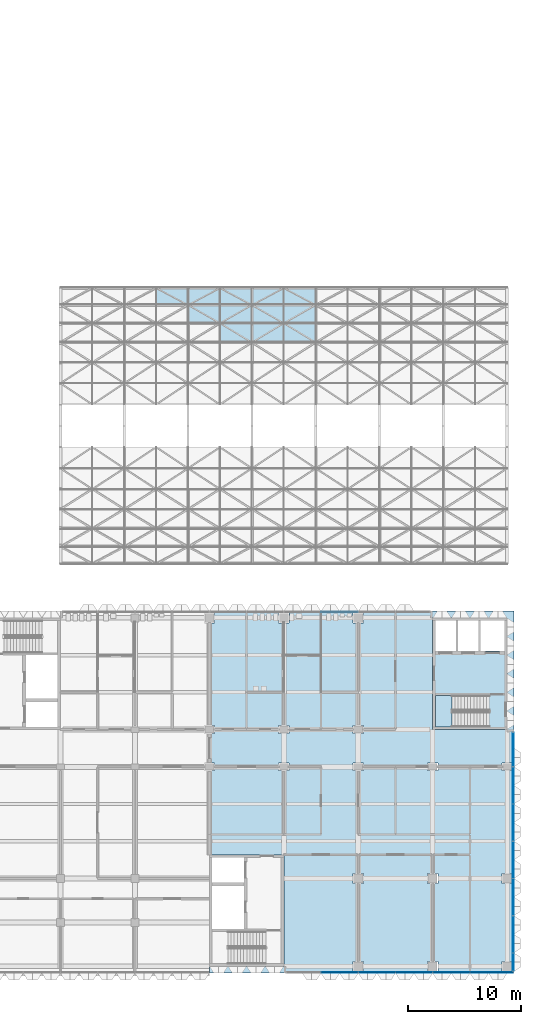
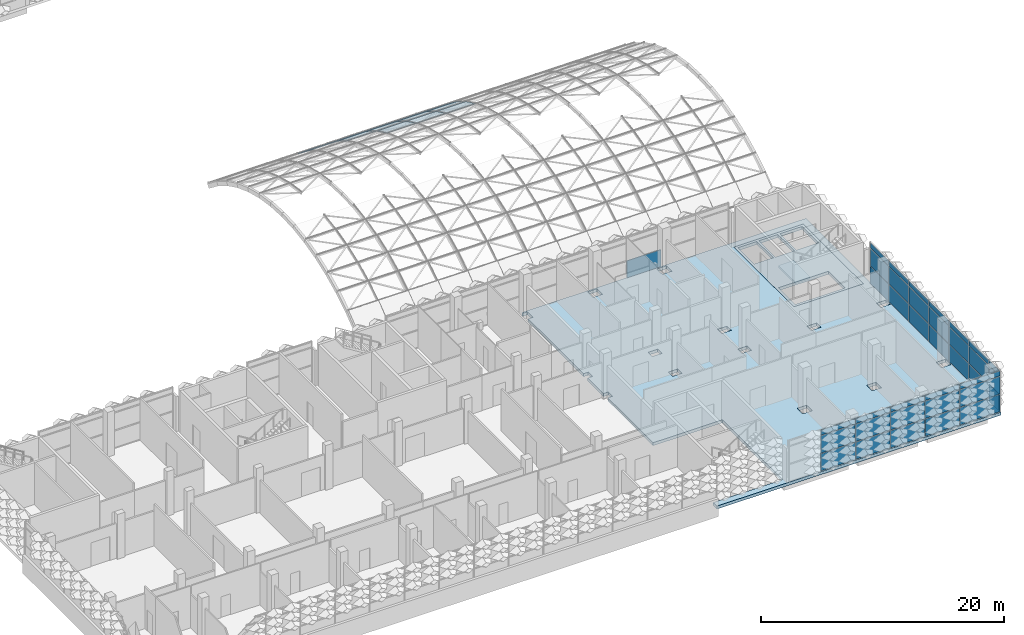
# One storey, part 22 of 85: 49 plates, 3 slabs, 4 elements without a shape of their own.
"""IFC4 building model written with IfcOpenShell, lengths in metres."""

from ifc_helpers import new_model, si_unit, direction, frame, origin, origin_2d, place, context, subcontext, project, spatial, polyline, rectangle, outline, extrude, material, layer, layer_set, type_object, element, aggregate, save


model = new_model("IFC4")

# Units and contexts
model_context = context("Model", 3, precision=1e-05, world=origin(), true_north=direction((0.0, 1.0)))
body_context = subcontext(model_context, "Body", "Model", "MODEL_VIEW")
ifc_project = project(units=[si_unit("LENGTHUNIT", "METRE"), si_unit("AREAUNIT", "SQUARE_METRE"), si_unit("VOLUMEUNIT", "CUBIC_METRE"), si_unit("PLANEANGLEUNIT", "RADIAN"), si_unit("MASSUNIT", "GRAM", prefix="KILO")], contexts=[model_context])

# Site, building, storey
site_placement = place(None, origin())
site = spatial("IfcSite", under=ifc_project, at=site_placement, CompositionType="ELEMENT")
building_placement = place(site_placement, origin())
building = spatial("IfcBuilding", under=site, at=building_placement, Name="Lantern Court Research Institute", CompositionType="ELEMENT")
storey_placement = place(building_placement, frame((0.0, 0.0, 18.89990234375)))
storey = spatial("IfcBuildingStorey", under=building, at=storey_placement, Name="L04", CompositionType="ELEMENT", Elevation=18.89990234375)

# Plates
ifc_material_1 = material(Name="Laminated low-emissivity glass", Category="glass")
ifc_layer_1 = layer(ifc_material_1, 0.0439453125)
ifc_layer_set_1 = layer_set([ifc_layer_1], Name="Laminated low-emissivity glass")
plate_type_1 = type_object("IfcPlateType", Name="Gridshell roof glazing panel 44", PredefinedType="SHEET", material=ifc_layer_set_1)
plate_1_placement = place(storey_placement, frame((50.904296875, 50.89892578125, 1.381103515625), z_axis=(0.0, 0.60878642587, 0.793334158899), x_axis=(-1.0, 0.0, 0.0)))
element("IfcPlate", 1, at=plate_1_placement, inside=storey, type_object=plate_type_1, Name="Roof glazing panel", PredefinedType="SHEET", context=body_context, shape_type="SweptSolid", body=[
    extrude(outline(polyline([(0.0, 0.0), (2.80859375, 0.0), (2.80859375, -1.8772137765583714), (0.0, -1.8772137765583714), (0.0, 0.0)])), origin(), (0.0, 0.0, -1.0), 0.0439453125),
])
plate_2_placement = place(storey_placement, frame((53.73291015625, 49.27734375, 2.3857421875), z_axis=(0.0, 0.525951989181, 0.850514259185), x_axis=(-1.0, 0.0, 0.0)))
element("IfcPlate", 2, at=plate_2_placement, inside=storey, type_object=plate_type_1, Name="Roof glazing panel", PredefinedType="SHEET", context=body_context, shape_type="SweptSolid", body=[
    extrude(outline(polyline([(0.0, 0.0), (2.80859375, 0.0), (2.80859375, -1.8790332013740056), (0.0, -1.8790332013740056), (0.0, 0.0)])), origin(), (0.0, 0.0, -1.0), 0.0439453125),
])
plate_3_placement = place(storey_placement, frame((53.73291015625, 50.89892578125, 1.381103515625), z_axis=(0.0, 0.60878642587, 0.793334158899), x_axis=(-1.0, 0.0, 0.0)))
element("IfcPlate", 3, at=plate_3_placement, inside=storey, type_object=plate_type_1, Name="Roof glazing panel", PredefinedType="SHEET", context=body_context, shape_type="SweptSolid", body=[
    extrude(outline(polyline([(0.0, 0.0), (2.80859375, 0.0), (2.80859375, -1.8772137765583714), (0.0, -1.8772137765583714), (0.0, 0.0)])), origin(), (0.0, 0.0, -1.0), 0.0439453125),
])
plate_4_placement = place(storey_placement, frame((56.5615234375, 47.56298828125, 3.22216796875), z_axis=(0.0, 0.437840262828, 0.89905278168), x_axis=(-1.0, 0.0, 0.0)))
element("IfcPlate", 4, at=plate_4_placement, inside=storey, type_object=plate_type_1, Name="Roof glazing panel", PredefinedType="SHEET", context=body_context, shape_type="SweptSolid", body=[
    extrude(outline(polyline([(0.0, 0.0), (2.80859375, 0.0), (2.80859375, -1.8802340885275783), (0.0, -1.8802340885275783), (0.0, 0.0)])), origin(), (0.0, 0.0, -1.0), 0.0439453125),
])
plate_5_placement = place(storey_placement, frame((56.5615234375, 49.27734375, 2.3857421875), z_axis=(0.0, 0.525951989181, 0.850514259185), x_axis=(-1.0, 0.0, 0.0)))
element("IfcPlate", 5, at=plate_5_placement, inside=storey, type_object=plate_type_1, Name="Roof glazing panel", PredefinedType="SHEET", context=body_context, shape_type="SweptSolid", body=[
    extrude(outline(polyline([(0.0, 0.0), (2.80859375, 0.0), (2.80859375, -1.8790332013740056), (0.0, -1.8790332013740056), (0.0, 0.0)])), origin(), (0.0, 0.0, -1.0), 0.0439453125),
])
plate_6_placement = place(storey_placement, frame((56.5615234375, 50.89892578125, 1.381103515625), z_axis=(0.0, 0.60878642587, 0.793334158899), x_axis=(-1.0, 0.0, 0.0)))
element("IfcPlate", 6, at=plate_6_placement, inside=storey, type_object=plate_type_1, Name="Roof glazing panel", PredefinedType="SHEET", context=body_context, shape_type="SweptSolid", body=[
    extrude(outline(polyline([(0.0, 0.0), (2.80859375, 0.0), (2.80859375, -1.8772137765583714), (0.0, -1.8772137765583714), (0.0, 0.0)])), origin(), (0.0, 0.0, -1.0), 0.0439453125),
])
plate_7_placement = place(storey_placement, frame((59.389892578125, 47.56298828125, 3.22216796875), z_axis=(0.0, 0.437840262828, 0.89905278168), x_axis=(-1.0, 0.0, 0.0)))
element("IfcPlate", 7, at=plate_7_placement, inside=storey, type_object=plate_type_1, Name="Roof glazing panel", PredefinedType="SHEET", context=body_context, shape_type="SweptSolid", body=[
    extrude(outline(polyline([(0.0, 0.0), (2.808349609375, 0.0), (2.808349609375, -1.8802340885275781), (0.0, -1.8802340885275781), (0.0, 0.0)])), origin(), (0.0, 0.0, -1.0), 0.0439453125),
])
plate_8_placement = place(storey_placement, frame((59.389892578125, 49.27734375, 2.3857421875), z_axis=(0.0, 0.525951989181, 0.850514259185), x_axis=(-1.0, 0.0, 0.0)))
element("IfcPlate", 8, at=plate_8_placement, inside=storey, type_object=plate_type_1, Name="Roof glazing panel", PredefinedType="SHEET", context=body_context, shape_type="SweptSolid", body=[
    extrude(outline(polyline([(0.0, 0.0), (2.808349609375, 0.0), (2.808349609375, -1.8790332013740056), (0.0, -1.8790332013740056), (0.0, 0.0)])), origin(), (0.0, 0.0, -1.0), 0.0439453125),
])
plate_9_placement = place(storey_placement, frame((59.389892578125, 50.89892578125, 1.381103515625), z_axis=(0.0, 0.60878642587, 0.793334158899), x_axis=(-1.0, 0.0, 0.0)))
element("IfcPlate", 9, at=plate_9_placement, inside=storey, type_object=plate_type_1, Name="Roof glazing panel", PredefinedType="SHEET", context=body_context, shape_type="SweptSolid", body=[
    extrude(outline(polyline([(0.0, 0.0), (2.808349609375, 0.0), (2.808349609375, -1.8772137765583714), (0.0, -1.8772137765583714), (0.0, 0.0)])), origin(), (0.0, 0.0, -1.0), 0.0439453125),
])
plate_10_placement = place(storey_placement, frame((62.218505859375, 47.56298828125, 3.22216796875), z_axis=(0.0, 0.437840262828, 0.89905278168), x_axis=(-1.0, 0.0, 0.0)))
element("IfcPlate", 10, at=plate_10_placement, inside=storey, type_object=plate_type_1, Name="Roof glazing panel", PredefinedType="SHEET", context=body_context, shape_type="SweptSolid", body=[
    extrude(outline(polyline([(0.0, 0.0), (2.80859375, 0.0), (2.80859375, -1.8802340885275783), (0.0, -1.8802340885275783), (0.0, 0.0)])), origin(), (0.0, 0.0, -1.0), 0.0439453125),
])
plate_11_placement = place(storey_placement, frame((62.218505859375, 49.27734375, 2.3857421875), z_axis=(0.0, 0.525951989181, 0.850514259185), x_axis=(-1.0, 0.0, 0.0)))
element("IfcPlate", 11, at=plate_11_placement, inside=storey, type_object=plate_type_1, Name="Roof glazing panel", PredefinedType="SHEET", context=body_context, shape_type="SweptSolid", body=[
    extrude(outline(polyline([(0.0, 0.0), (2.80859375, 0.0), (2.80859375, -1.8790332013740056), (0.0, -1.8790332013740056), (0.0, 0.0)])), origin(), (0.0, 0.0, -1.0), 0.0439453125),
])
plate_12_placement = place(storey_placement, frame((62.218505859375, 50.89892578125, 1.381103515625), z_axis=(0.0, 0.60878642587, 0.793334158899), x_axis=(-1.0, 0.0, 0.0)))
element("IfcPlate", 12, at=plate_12_placement, inside=storey, type_object=plate_type_1, Name="Roof glazing panel", PredefinedType="SHEET", context=body_context, shape_type="SweptSolid", body=[
    extrude(outline(polyline([(0.0, 0.0), (2.80859375, 0.0), (2.80859375, -1.8772137765583714), (0.0, -1.8772137765583714), (0.0, 0.0)])), origin(), (0.0, 0.0, -1.0), 0.0439453125),
])

# Curtain wall, plates
ifc_material_2 = material(Name="Aluminium alloy 6063-T6", Category="aluminium")
curtain_wall_type_1 = type_object("IfcCurtainWallType", Name="Curtain wall 20200 x 4200 x 150 aluminium frame", PredefinedType="NOTDEFINED", material=ifc_material_2)
curtain_wall_1_placement = place(storey_placement, origin())
curtain_wall_1 = element("IfcCurtainWall", 13, at=curtain_wall_1_placement, inside=storey, type_object=curtain_wall_type_1, Name="Curtain wall CW067", PredefinedType="NOTDEFINED")
ifc_material_3 = material(Name="Insulated aluminium spandrel panel", Category="aluminium")
ifc_layer_2 = layer(ifc_material_3, 0.10009765625)
ifc_layer_set_2 = layer_set([ifc_layer_2], Name="Insulated aluminium spandrel panel")
plate_type_2 = type_object("IfcPlateType", Name="Insulated spandrel panel 100 mm for south sun", PredefinedType="CURTAIN_PANEL", material=ifc_layer_set_2)
plate_13_placement = place(storey_placement, frame((64.35009765625, -8.324951171875, 0.06005859375), z_axis=(0.0, 0.0, 1.0), x_axis=(-1.0, 0.0, 0.0)))
plate_13 = element("IfcPlate", 14, at=plate_13_placement, type_object=plate_type_2, Name="CW067 spandrel panel 2.1", PredefinedType="CURTAIN_PANEL", context=body_context, shape_type="SweptSolid", body=[
    extrude(rectangle(XDim=3.239990234375, YDim=0.10009765625, at=origin_2d()), origin(), (0.0, 0.0, 1.0), 1.7099609375),
])
plate_14_placement = place(storey_placement, frame((67.64990234375, -8.324951171875, 0.06005859375), z_axis=(0.0, 0.0, 1.0), x_axis=(-1.0, 0.0, 0.0)))
plate_14 = element("IfcPlate", 15, at=plate_14_placement, type_object=plate_type_2, Name="CW067 spandrel panel 3.1", PredefinedType="CURTAIN_PANEL", context=body_context, shape_type="SweptSolid", body=[
    extrude(rectangle(XDim=3.239990234375, YDim=0.10009765625, at=origin_2d()), origin(), (0.0, 0.0, 1.0), 1.7099609375),
])
plate_15_placement = place(storey_placement, frame((70.949951171875, -8.324951171875, 0.06005859375), z_axis=(0.0, 0.0, 1.0), x_axis=(-1.0, 0.0, 0.0)))
plate_15 = element("IfcPlate", 16, at=plate_15_placement, type_object=plate_type_2, Name="CW067 spandrel panel 4.1", PredefinedType="CURTAIN_PANEL", context=body_context, shape_type="SweptSolid", body=[
    extrude(rectangle(XDim=3.239990234375, YDim=0.10009765625, at=origin_2d()), origin(), (0.0, 0.0, 1.0), 1.7099609375),
])
plate_16_placement = place(storey_placement, frame((74.25, -8.324951171875, 0.06005859375), z_axis=(0.0, 0.0, 1.0), x_axis=(-1.0, 0.0, 0.0)))
plate_16 = element("IfcPlate", 17, at=plate_16_placement, type_object=plate_type_2, Name="CW067 spandrel panel 5.1", PredefinedType="CURTAIN_PANEL", context=body_context, shape_type="SweptSolid", body=[
    extrude(rectangle(XDim=3.239990234375, YDim=0.10009765625, at=origin_2d()), origin(), (0.0, 0.0, 1.0), 1.7099609375),
])
plate_17_placement = place(storey_placement, frame((77.8349609375, -8.324951171875, 0.06005859375), z_axis=(0.0, 0.0, 1.0), x_axis=(-1.0, 0.0, 0.0)))
plate_17 = element("IfcPlate", 18, at=plate_17_placement, type_object=plate_type_2, Name="CW067 spandrel panel 6.1", PredefinedType="CURTAIN_PANEL", context=body_context, shape_type="SweptSolid", body=[
    extrude(rectangle(XDim=3.81005859375, YDim=0.10009765625, at=origin_2d()), origin(), (0.0, 0.0, 1.0), 1.7099609375),
])

# Curtain wall, plate
ifc_material_4 = material(Name="Aluminium alloy 6063-T6", Category="aluminium")
curtain_wall_type_2 = type_object("IfcCurtainWallType", Name="Curtain wall 19600 x 4200 x 150 aluminium frame", PredefinedType="NOTDEFINED", material=ifc_material_4)
curtain_wall_2_placement = place(storey_placement, origin())
curtain_wall_2 = element("IfcCurtainWall", 19, at=curtain_wall_2_placement, inside=storey, type_object=curtain_wall_type_2, Name="Curtain wall CW066", PredefinedType="NOTDEFINED")
ifc_material_5 = material(Name="Insulated aluminium spandrel panel", Category="aluminium")
ifc_layer_3 = layer(ifc_material_5, 0.06005859375)
ifc_layer_set_3 = layer_set([ifc_layer_3], Name="Insulated aluminium spandrel panel")
plate_type_3 = type_object("IfcPlateType", Name="Insulated spandrel panel 60 mm", PredefinedType="CURTAIN_PANEL", material=ifc_layer_set_3)
plate_18_placement = place(storey_placement, frame((64.35009765625, 23.625, 0.06005859375), z_axis=(0.0, 0.0, 1.0), x_axis=(1.0, 0.0, 0.0)))
plate_18 = element("IfcPlate", 20, at=plate_18_placement, type_object=plate_type_3, Name="CW066 spandrel panel 4.1", PredefinedType="CURTAIN_PANEL", context=body_context, shape_type="SweptSolid", body=[
    extrude(rectangle(XDim=3.239990234375, YDim=0.06005859375, at=origin_2d()), origin(), (0.0, 0.0, 1.0), 1.7099609375),
])
aggregate(curtain_wall_2, [plate_18])

# Curtain wall, plates
ifc_material_6 = material(Name="Aluminium alloy 6063-T6", Category="aluminium")
curtain_wall_type_3 = type_object("IfcCurtainWallType", Name="Curtain wall 21250 x 4200 x 150 aluminium frame", PredefinedType="NOTDEFINED", material=ifc_material_6)
curtain_wall_3_placement = place(storey_placement, origin())
curtain_wall_3 = element("IfcCurtainWall", 21, at=curtain_wall_3_placement, inside=storey, type_object=curtain_wall_type_3, Name="Curtain wall CW065", PredefinedType="NOTDEFINED")
ifc_material_7 = material(Name="Insulated aluminium spandrel panel", Category="aluminium")
ifc_layer_4 = layer(ifc_material_7, 0.080078125)
ifc_layer_set_4 = layer_set([ifc_layer_4], Name="Insulated aluminium spandrel panel")
plate_type_4 = type_object("IfcPlateType", Name="Insulated spandrel panel 80 mm", PredefinedType="CURTAIN_PANEL", material=ifc_layer_set_4)
plate_19_placement = place(storey_placement, frame((79.72509765625, -7.409912109375, 0.06005859375), z_axis=(0.0, 0.0, 1.0), x_axis=(0.0, -1.0, 0.0)))
plate_19 = element("IfcPlate", 22, at=plate_19_placement, type_object=plate_type_4, Name="CW065 spandrel panel 1.1", PredefinedType="CURTAIN_PANEL", context=body_context, shape_type="SweptSolid", body=[
    extrude(rectangle(XDim=1.56005859375, YDim=0.080078125, at=origin_2d()), origin(), (0.0, 0.0, 1.0), 1.7099609375),
])
plate_20_placement = place(storey_placement, frame((79.72509765625, -4.949951171875, 0.06005859375), z_axis=(0.0, 0.0, 1.0), x_axis=(0.0, -1.0, 0.0)))
plate_20 = element("IfcPlate", 23, at=plate_20_placement, type_object=plate_type_4, Name="CW065 spandrel panel 2.1", PredefinedType="CURTAIN_PANEL", context=body_context, shape_type="SweptSolid", body=[
    extrude(rectangle(XDim=3.239990234375, YDim=0.080078125, at=origin_2d()), origin(), (0.0, 0.0, 1.0), 1.7099609375),
])
plate_21_placement = place(storey_placement, frame((79.72509765625, -1.64990234375, 0.06005859375), z_axis=(0.0, 0.0, 1.0), x_axis=(0.0, -1.0, 0.0)))
plate_21 = element("IfcPlate", 24, at=plate_21_placement, type_object=plate_type_4, Name="CW065 spandrel panel 3.1", PredefinedType="CURTAIN_PANEL", context=body_context, shape_type="SweptSolid", body=[
    extrude(rectangle(XDim=3.239990234375, YDim=0.080078125, at=origin_2d()), origin(), (0.0, 0.0, 1.0), 1.7099609375),
])
plate_22_placement = place(storey_placement, frame((79.72509765625, 1.64990234375, 0.06005859375), z_axis=(0.0, 0.0, 1.0), x_axis=(0.0, -1.0, 0.0)))
plate_22 = element("IfcPlate", 25, at=plate_22_placement, type_object=plate_type_4, Name="CW065 spandrel panel 4.1", PredefinedType="CURTAIN_PANEL", context=body_context, shape_type="SweptSolid", body=[
    extrude(rectangle(XDim=3.239990234375, YDim=0.080078125, at=origin_2d()), origin(), (0.0, 0.0, 1.0), 1.7099609375),
])
plate_23_placement = place(storey_placement, frame((79.72509765625, 4.949951171875, 0.06005859375), z_axis=(0.0, 0.0, 1.0), x_axis=(0.0, -1.0, 0.0)))
plate_23 = element("IfcPlate", 26, at=plate_23_placement, type_object=plate_type_4, Name="CW065 spandrel panel 5.1", PredefinedType="CURTAIN_PANEL", context=body_context, shape_type="SweptSolid", body=[
    extrude(rectangle(XDim=3.239990234375, YDim=0.080078125, at=origin_2d()), origin(), (0.0, 0.0, 1.0), 1.7099609375),
])
plate_24_placement = place(storey_placement, frame((79.72509765625, 8.25, 0.06005859375), z_axis=(0.0, 0.0, 1.0), x_axis=(0.0, -1.0, 0.0)))
plate_24 = element("IfcPlate", 27, at=plate_24_placement, type_object=plate_type_4, Name="CW065 spandrel panel 6.1", PredefinedType="CURTAIN_PANEL", context=body_context, shape_type="SweptSolid", body=[
    extrude(rectangle(XDim=3.239990234375, YDim=0.080078125, at=origin_2d()), origin(), (0.0, 0.0, 1.0), 1.7099609375),
])
plate_25_placement = place(storey_placement, frame((79.72509765625, 11.43505859375, 0.06005859375), z_axis=(0.0, 0.0, 1.0), x_axis=(0.0, -1.0, 0.0)))
plate_25 = element("IfcPlate", 28, at=plate_25_placement, type_object=plate_type_4, Name="CW065 spandrel panel 7.1", PredefinedType="CURTAIN_PANEL", context=body_context, shape_type="SweptSolid", body=[
    extrude(rectangle(XDim=3.010009765625, YDim=0.080078125, at=origin_2d()), origin(), (0.0, 0.0, 1.0), 1.7099609375),
])

# Slabs
ifc_material_8 = material(Name="Concrete C35/45", Category="concrete")
ifc_layer_5 = layer(ifc_material_8, 0.300048828125)
ifc_layer_set_5 = layer_set([ifc_layer_5], Name="Concrete C35/45")
slab_type_1 = type_object("IfcSlabType", Name="RC core floor slab 300", PredefinedType="FLOOR", material=ifc_layer_set_5)
slab_1_placement = place(storey_placement, frame((0.0, 0.0, -0.2998046875)))
element("IfcSlab", 29, at=slab_1_placement, inside=storey, type_object=slab_type_1, Name="Floor of core TC-E", PredefinedType="FLOOR", context=body_context, shape_type="SweptSolid", body=[
    extrude(outline(polyline([(72.60009765625, 13.199951171875), (79.199951171875, 13.199951171875), (79.199951171875, 23.10009765625), (72.60009765625, 23.10009765625), (72.60009765625, 13.199951171875)]), holes=[polyline([(77.60009765625, 16.199951171875), (72.85009765625, 16.199951171875), (72.85009765625, 13.449951171875), (77.60009765625, 13.449951171875), (77.60009765625, 16.199951171875)]), polyline([(72.85009765625, 20.14990234375), (74.64990234375, 20.14990234375), (74.64990234375, 22.85009765625), (72.85009765625, 22.85009765625), (72.85009765625, 20.14990234375)]), polyline([(74.85009765625, 20.14990234375), (76.64990234375, 20.14990234375), (76.64990234375, 22.85009765625), (74.85009765625, 22.85009765625), (74.85009765625, 20.14990234375)]), polyline([(76.85009765625, 20.14990234375), (78.949951171875, 20.14990234375), (78.949951171875, 22.85009765625), (76.85009765625, 22.85009765625), (76.85009765625, 20.14990234375)])]), origin(), (0.0, 0.0, 1.0), 0.2998046875),
])
ifc_material_9 = material(Name="Concrete C35/45", Category="concrete")
ifc_layer_6 = layer(ifc_material_9, 0.300048828125)
ifc_layer_set_6 = layer_set([ifc_layer_6], Name="Concrete C35/45")
slab_type_2 = type_object("IfcSlabType", Name="RC floor slab 300", PredefinedType="FLOOR", material=ifc_layer_set_6)
slab_2_placement = place(storey_placement, frame((0.0, 0.0, -0.2998046875)))
element("IfcSlab", 30, at=slab_2_placement, inside=storey, type_object=slab_type_2, Name="Floor slab L04 Dry Laboratory and Clean Room Tower", PredefinedType="FLOOR", context=body_context, shape_type="SweptSolid", body=[
    extrude(outline(polyline([(59.39990234375, -7.800048828125), (52.800048828125, -7.800048828125), (52.800048828125, -8.39990234375), (79.800048828125, -8.39990234375), (79.800048828125, -7.800048828125), (79.800048828125, 23.10009765625), (79.800048828125, 23.699951171875), (52.800048828125, 23.699951171875), (52.800048828125, 23.550048828125), (53.25, 23.550048828125), (53.25, 22.64990234375), (52.800048828125, 22.64990234375), (52.800048828125, 13.550048828125), (53.25, 13.550048828125), (53.25, 12.85009765625), (52.800048828125, 12.85009765625), (52.800048828125, 10.25), (53.25, 10.25), (53.25, 9.550048828125), (52.800048828125, 9.550048828125), (52.800048828125, 2.10009765625), (59.39990234375, 2.10009765625), (59.39990234375, -7.800048828125)]), holes=[polyline([(65.550048828125, -7.35009765625), (66.449951171875, -7.35009765625), (66.449951171875, -8.25), (65.550048828125, -8.25), (65.550048828125, -7.35009765625)]), polyline([(58.949951171875, 10.25), (59.85009765625, 10.25), (59.85009765625, 9.550048828125), (58.949951171875, 9.550048828125), (58.949951171875, 10.25)]), polyline([(59.85009765625, 13.550048828125), (59.85009765625, 12.85009765625), (58.949951171875, 12.85009765625), (58.949951171875, 13.550048828125), (59.85009765625, 13.550048828125)]), polyline([(59.85009765625, 23.550048828125), (59.85009765625, 22.64990234375), (58.949951171875, 22.64990234375), (58.949951171875, 23.550048828125), (59.85009765625, 23.550048828125)]), polyline([(73.050048828125, -7.35009765625), (73.050048828125, -8.25), (72.14990234375, -8.25), (72.14990234375, -7.35009765625), (73.050048828125, -7.35009765625)]), polyline([(79.64990234375, -7.35009765625), (79.64990234375, -8.25), (78.75, -8.25), (78.75, -7.35009765625), (79.64990234375, -7.35009765625)]), polyline([(65.550048828125, 0.449951171875), (66.449951171875, 0.449951171875), (66.449951171875, -0.449951171875), (65.550048828125, -0.449951171875), (65.550048828125, 0.449951171875)]), polyline([(73.050048828125, 0.449951171875), (73.050048828125, -0.449951171875), (72.14990234375, -0.449951171875), (72.14990234375, 0.449951171875), (73.050048828125, 0.449951171875)]), polyline([(79.64990234375, 0.449951171875), (79.64990234375, -0.449951171875), (78.75, -0.449951171875), (78.75, 0.449951171875), (79.64990234375, 0.449951171875)]), polyline([(65.550048828125, 10.25), (66.449951171875, 10.25), (66.449951171875, 9.550048828125), (65.550048828125, 9.550048828125), (65.550048828125, 10.25)]), polyline([(73.050048828125, 10.25), (73.050048828125, 9.550048828125), (72.14990234375, 9.550048828125), (72.14990234375, 10.25), (73.050048828125, 10.25)]), polyline([(79.64990234375, 10.25), (79.64990234375, 9.550048828125), (78.75, 9.550048828125), (78.75, 10.25), (79.64990234375, 10.25)]), polyline([(66.449951171875, 13.550048828125), (66.449951171875, 12.85009765625), (65.550048828125, 12.85009765625), (65.550048828125, 13.550048828125), (66.449951171875, 13.550048828125)]), polyline([(79.199951171875, 23.10009765625), (79.199951171875, 13.199951171875), (72.60009765625, 13.199951171875), (72.60009765625, 23.10009765625), (79.199951171875, 23.10009765625)]), polyline([(66.449951171875, 23.550048828125), (66.449951171875, 22.64990234375), (65.550048828125, 22.64990234375), (65.550048828125, 23.550048828125), (66.449951171875, 23.550048828125)])]), origin(), (0.0, 0.0, 1.0), 0.2998046875),
])

# Stair, slab
ifc_material_10 = material(Name="Concrete C40/50", Category="concrete")
stair_type = type_object("IfcStairType", Name="RC half-turn stair 1300 wide, 4500 rise, 6100 shaft", PredefinedType="HALF_TURN_STAIR", material=ifc_material_10)
stair_placement = place(storey_placement, origin())
stair = element("IfcStair", 31, at=stair_placement, inside=storey, type_object=stair_type, Name="L04 stair ST-T2", PredefinedType="HALF_TURN_STAIR")
ifc_material_11 = material(Name="Concrete C40/50", Category="concrete")
ifc_layer_7 = layer(ifc_material_11, 0.199951171875)
ifc_layer_set_7 = layer_set([ifc_layer_7], Name="Concrete C40/50")
slab_type_3 = type_object("IfcSlabType", Name="RC stair landing 200", PredefinedType="LANDING", material=ifc_layer_set_7)
slab_3_placement = place(storey_placement, frame((0.0, 0.0, 2.050048828125)))
slab_3 = element("IfcSlab", 32, at=slab_3_placement, type_object=slab_type_3, Name="ST-T2 landing 1", PredefinedType="LANDING", context=body_context, shape_type="SweptSolid", body=[
    extrude(outline(polyline([(74.2900390625, 16.199951171875), (72.85009765625, 16.199951171875), (72.85009765625, 13.449951171875), (74.2900390625, 13.449951171875), (74.2900390625, 16.199951171875)])), origin(), (0.0, 0.0, 1.0), 0.199951171875),
])
aggregate(stair, [slab_3])

# Plate
ifc_material_12 = material(Name="Laminated low-emissivity glass", Category="glass")
ifc_layer_8 = layer(ifc_material_12, 0.035888671875)
ifc_layer_set_8 = layer_set([ifc_layer_8], Name="Laminated low-emissivity glass")
plate_type_5 = type_object("IfcPlateType", Name="Solar control laminated unit 36 mm", PredefinedType="CURTAIN_PANEL", material=ifc_layer_set_8)
plate_26_placement = place(storey_placement, frame((79.72509765625, -7.409912109375, 1.830078125), z_axis=(0.0, 0.0, 1.0), x_axis=(0.0, -1.0, 0.0)))
plate_26 = element("IfcPlate", 33, at=plate_26_placement, type_object=plate_type_5, Name="CW065 glazed panel 1.2", PredefinedType="CURTAIN_PANEL", context=body_context, shape_type="SweptSolid", body=[
    extrude(rectangle(XDim=1.56005859375, YDim=0.035888671875, at=origin_2d()), origin(), (0.0, 0.0, 1.0), 1.739990234375),
])

plate_27_placement = place(storey_placement, frame((79.72509765625, -7.409912109375, 3.6298828125), z_axis=(0.0, 0.0, 1.0), x_axis=(0.0, -1.0, 0.0)))
plate_27 = element("IfcPlate", 34, at=plate_27_placement, type_object=plate_type_5, Name="CW065 glazed panel 1.3", PredefinedType="CURTAIN_PANEL", context=body_context, shape_type="SweptSolid", body=[
    extrude(rectangle(XDim=1.56005859375, YDim=0.035888671875, at=origin_2d()), origin(), (0.0, 0.0, 1.0), 0.510009765625),
])

plate_28_placement = place(storey_placement, frame((79.72509765625, -4.949951171875, 1.830078125), z_axis=(0.0, 0.0, 1.0), x_axis=(0.0, -1.0, 0.0)))
plate_28 = element("IfcPlate", 35, at=plate_28_placement, type_object=plate_type_5, Name="CW065 glazed panel 2.2", PredefinedType="CURTAIN_PANEL", context=body_context, shape_type="SweptSolid", body=[
    extrude(rectangle(XDim=3.239990234375, YDim=0.035888671875, at=origin_2d()), origin(), (0.0, 0.0, 1.0), 1.739990234375),
])

plate_29_placement = place(storey_placement, frame((79.72509765625, -4.949951171875, 3.6298828125), z_axis=(0.0, 0.0, 1.0), x_axis=(0.0, -1.0, 0.0)))
plate_29 = element("IfcPlate", 36, at=plate_29_placement, type_object=plate_type_5, Name="CW065 glazed panel 2.3", PredefinedType="CURTAIN_PANEL", context=body_context, shape_type="SweptSolid", body=[
    extrude(rectangle(XDim=3.239990234375, YDim=0.035888671875, at=origin_2d()), origin(), (0.0, 0.0, 1.0), 0.510009765625),
])

plate_30_placement = place(storey_placement, frame((79.72509765625, -1.64990234375, 1.830078125), z_axis=(0.0, 0.0, 1.0), x_axis=(0.0, -1.0, 0.0)))
plate_30 = element("IfcPlate", 37, at=plate_30_placement, type_object=plate_type_5, Name="CW065 glazed panel 3.2", PredefinedType="CURTAIN_PANEL", context=body_context, shape_type="SweptSolid", body=[
    extrude(rectangle(XDim=3.239990234375, YDim=0.035888671875, at=origin_2d()), origin(), (0.0, 0.0, 1.0), 1.739990234375),
])

plate_31_placement = place(storey_placement, frame((79.72509765625, -1.64990234375, 3.6298828125), z_axis=(0.0, 0.0, 1.0), x_axis=(0.0, -1.0, 0.0)))
plate_31 = element("IfcPlate", 38, at=plate_31_placement, type_object=plate_type_5, Name="CW065 glazed panel 3.3", PredefinedType="CURTAIN_PANEL", context=body_context, shape_type="SweptSolid", body=[
    extrude(rectangle(XDim=3.239990234375, YDim=0.035888671875, at=origin_2d()), origin(), (0.0, 0.0, 1.0), 0.510009765625),
])

plate_32_placement = place(storey_placement, frame((79.72509765625, 1.64990234375, 1.830078125), z_axis=(0.0, 0.0, 1.0), x_axis=(0.0, -1.0, 0.0)))
plate_32 = element("IfcPlate", 39, at=plate_32_placement, type_object=plate_type_5, Name="CW065 glazed panel 4.2", PredefinedType="CURTAIN_PANEL", context=body_context, shape_type="SweptSolid", body=[
    extrude(rectangle(XDim=3.239990234375, YDim=0.035888671875, at=origin_2d()), origin(), (0.0, 0.0, 1.0), 1.739990234375),
])

plate_33_placement = place(storey_placement, frame((79.72509765625, 1.64990234375, 3.6298828125), z_axis=(0.0, 0.0, 1.0), x_axis=(0.0, -1.0, 0.0)))
plate_33 = element("IfcPlate", 40, at=plate_33_placement, type_object=plate_type_5, Name="CW065 glazed panel 4.3", PredefinedType="CURTAIN_PANEL", context=body_context, shape_type="SweptSolid", body=[
    extrude(rectangle(XDim=3.239990234375, YDim=0.035888671875, at=origin_2d()), origin(), (0.0, 0.0, 1.0), 0.510009765625),
])

plate_34_placement = place(storey_placement, frame((79.72509765625, 4.949951171875, 1.830078125), z_axis=(0.0, 0.0, 1.0), x_axis=(0.0, -1.0, 0.0)))
plate_34 = element("IfcPlate", 41, at=plate_34_placement, type_object=plate_type_5, Name="CW065 glazed panel 5.2", PredefinedType="CURTAIN_PANEL", context=body_context, shape_type="SweptSolid", body=[
    extrude(rectangle(XDim=3.239990234375, YDim=0.035888671875, at=origin_2d()), origin(), (0.0, 0.0, 1.0), 1.739990234375),
])

plate_35_placement = place(storey_placement, frame((79.72509765625, 4.949951171875, 3.6298828125), z_axis=(0.0, 0.0, 1.0), x_axis=(0.0, -1.0, 0.0)))
plate_35 = element("IfcPlate", 42, at=plate_35_placement, type_object=plate_type_5, Name="CW065 glazed panel 5.3", PredefinedType="CURTAIN_PANEL", context=body_context, shape_type="SweptSolid", body=[
    extrude(rectangle(XDim=3.239990234375, YDim=0.035888671875, at=origin_2d()), origin(), (0.0, 0.0, 1.0), 0.510009765625),
])

plate_36_placement = place(storey_placement, frame((79.72509765625, 8.25, 1.830078125), z_axis=(0.0, 0.0, 1.0), x_axis=(0.0, -1.0, 0.0)))
plate_36 = element("IfcPlate", 43, at=plate_36_placement, type_object=plate_type_5, Name="CW065 glazed panel 6.2", PredefinedType="CURTAIN_PANEL", context=body_context, shape_type="SweptSolid", body=[
    extrude(rectangle(XDim=3.239990234375, YDim=0.035888671875, at=origin_2d()), origin(), (0.0, 0.0, 1.0), 1.739990234375),
])

plate_37_placement = place(storey_placement, frame((79.72509765625, 8.25, 3.6298828125), z_axis=(0.0, 0.0, 1.0), x_axis=(0.0, -1.0, 0.0)))
plate_37 = element("IfcPlate", 44, at=plate_37_placement, type_object=plate_type_5, Name="CW065 glazed panel 6.3", PredefinedType="CURTAIN_PANEL", context=body_context, shape_type="SweptSolid", body=[
    extrude(rectangle(XDim=3.239990234375, YDim=0.035888671875, at=origin_2d()), origin(), (0.0, 0.0, 1.0), 0.510009765625),
])

plate_38_placement = place(storey_placement, frame((79.72509765625, 11.43505859375, 1.830078125), z_axis=(0.0, 0.0, 1.0), x_axis=(0.0, -1.0, 0.0)))
plate_38 = element("IfcPlate", 45, at=plate_38_placement, type_object=plate_type_5, Name="CW065 glazed panel 7.2", PredefinedType="CURTAIN_PANEL", context=body_context, shape_type="SweptSolid", body=[
    extrude(rectangle(XDim=3.010009765625, YDim=0.035888671875, at=origin_2d()), origin(), (0.0, 0.0, 1.0), 1.739990234375),
])

plate_39_placement = place(storey_placement, frame((79.72509765625, 11.43505859375, 3.6298828125), z_axis=(0.0, 0.0, 1.0), x_axis=(0.0, -1.0, 0.0)))
plate_39 = element("IfcPlate", 46, at=plate_39_placement, type_object=plate_type_5, Name="CW065 glazed panel 7.3", PredefinedType="CURTAIN_PANEL", context=body_context, shape_type="SweptSolid", body=[
    extrude(rectangle(XDim=3.010009765625, YDim=0.035888671875, at=origin_2d()), origin(), (0.0, 0.0, 1.0), 0.510009765625),
])

aggregate(curtain_wall_3, [plate_19, plate_26, plate_27, plate_20, plate_28, plate_29, plate_21, plate_30, plate_31, plate_22, plate_32, plate_33, plate_23, plate_34, plate_35, plate_24, plate_36, plate_37, plate_25, plate_38, plate_39])

plate_40_placement = place(storey_placement, frame((64.35009765625, -8.324951171875, 1.830078125), z_axis=(0.0, 0.0, 1.0), x_axis=(-1.0, 0.0, 0.0)))
plate_40 = element("IfcPlate", 47, at=plate_40_placement, type_object=plate_type_5, Name="CW067 glazed panel 2.2", PredefinedType="CURTAIN_PANEL", context=body_context, shape_type="SweptSolid", body=[
    extrude(rectangle(XDim=3.239990234375, YDim=0.035888671875, at=origin_2d()), origin(), (0.0, 0.0, 1.0), 1.739990234375),
])

plate_41_placement = place(storey_placement, frame((64.35009765625, -8.324951171875, 3.6298828125), z_axis=(0.0, 0.0, 1.0), x_axis=(-1.0, 0.0, 0.0)))
plate_41 = element("IfcPlate", 48, at=plate_41_placement, type_object=plate_type_5, Name="CW067 glazed panel 2.3", PredefinedType="CURTAIN_PANEL", context=body_context, shape_type="SweptSolid", body=[
    extrude(rectangle(XDim=3.239990234375, YDim=0.035888671875, at=origin_2d()), origin(), (0.0, 0.0, 1.0), 0.510009765625),
])

plate_42_placement = place(storey_placement, frame((67.64990234375, -8.324951171875, 1.830078125), z_axis=(0.0, 0.0, 1.0), x_axis=(-1.0, 0.0, 0.0)))
plate_42 = element("IfcPlate", 49, at=plate_42_placement, type_object=plate_type_5, Name="CW067 glazed panel 3.2", PredefinedType="CURTAIN_PANEL", context=body_context, shape_type="SweptSolid", body=[
    extrude(rectangle(XDim=3.239990234375, YDim=0.035888671875, at=origin_2d()), origin(), (0.0, 0.0, 1.0), 1.739990234375),
])

plate_43_placement = place(storey_placement, frame((67.64990234375, -8.324951171875, 3.6298828125), z_axis=(0.0, 0.0, 1.0), x_axis=(-1.0, 0.0, 0.0)))
plate_43 = element("IfcPlate", 50, at=plate_43_placement, type_object=plate_type_5, Name="CW067 glazed panel 3.3", PredefinedType="CURTAIN_PANEL", context=body_context, shape_type="SweptSolid", body=[
    extrude(rectangle(XDim=3.239990234375, YDim=0.035888671875, at=origin_2d()), origin(), (0.0, 0.0, 1.0), 0.510009765625),
])

plate_44_placement = place(storey_placement, frame((70.949951171875, -8.324951171875, 1.830078125), z_axis=(0.0, 0.0, 1.0), x_axis=(-1.0, 0.0, 0.0)))
plate_44 = element("IfcPlate", 51, at=plate_44_placement, type_object=plate_type_5, Name="CW067 glazed panel 4.2", PredefinedType="CURTAIN_PANEL", context=body_context, shape_type="SweptSolid", body=[
    extrude(rectangle(XDim=3.239990234375, YDim=0.035888671875, at=origin_2d()), origin(), (0.0, 0.0, 1.0), 1.739990234375),
])

plate_45_placement = place(storey_placement, frame((70.949951171875, -8.324951171875, 3.6298828125), z_axis=(0.0, 0.0, 1.0), x_axis=(-1.0, 0.0, 0.0)))
plate_45 = element("IfcPlate", 52, at=plate_45_placement, type_object=plate_type_5, Name="CW067 glazed panel 4.3", PredefinedType="CURTAIN_PANEL", context=body_context, shape_type="SweptSolid", body=[
    extrude(rectangle(XDim=3.239990234375, YDim=0.035888671875, at=origin_2d()), origin(), (0.0, 0.0, 1.0), 0.510009765625),
])

plate_46_placement = place(storey_placement, frame((74.25, -8.324951171875, 1.830078125), z_axis=(0.0, 0.0, 1.0), x_axis=(-1.0, 0.0, 0.0)))
plate_46 = element("IfcPlate", 53, at=plate_46_placement, type_object=plate_type_5, Name="CW067 glazed panel 5.2", PredefinedType="CURTAIN_PANEL", context=body_context, shape_type="SweptSolid", body=[
    extrude(rectangle(XDim=3.239990234375, YDim=0.035888671875, at=origin_2d()), origin(), (0.0, 0.0, 1.0), 1.739990234375),
])

plate_47_placement = place(storey_placement, frame((74.25, -8.324951171875, 3.6298828125), z_axis=(0.0, 0.0, 1.0), x_axis=(-1.0, 0.0, 0.0)))
plate_47 = element("IfcPlate", 54, at=plate_47_placement, type_object=plate_type_5, Name="CW067 glazed panel 5.3", PredefinedType="CURTAIN_PANEL", context=body_context, shape_type="SweptSolid", body=[
    extrude(rectangle(XDim=3.239990234375, YDim=0.035888671875, at=origin_2d()), origin(), (0.0, 0.0, 1.0), 0.510009765625),
])

plate_48_placement = place(storey_placement, frame((77.8349609375, -8.324951171875, 1.830078125), z_axis=(0.0, 0.0, 1.0), x_axis=(-1.0, 0.0, 0.0)))
plate_48 = element("IfcPlate", 55, at=plate_48_placement, type_object=plate_type_5, Name="CW067 glazed panel 6.2", PredefinedType="CURTAIN_PANEL", context=body_context, shape_type="SweptSolid", body=[
    extrude(rectangle(XDim=3.81005859375, YDim=0.035888671875, at=origin_2d()), origin(), (0.0, 0.0, 1.0), 1.739990234375),
])

plate_49_placement = place(storey_placement, frame((77.8349609375, -8.324951171875, 3.6298828125), z_axis=(0.0, 0.0, 1.0), x_axis=(-1.0, 0.0, 0.0)))
plate_49 = element("IfcPlate", 56, at=plate_49_placement, type_object=plate_type_5, Name="CW067 glazed panel 6.3", PredefinedType="CURTAIN_PANEL", context=body_context, shape_type="SweptSolid", body=[
    extrude(rectangle(XDim=3.81005859375, YDim=0.035888671875, at=origin_2d()), origin(), (0.0, 0.0, 1.0), 0.510009765625),
])

aggregate(curtain_wall_1, [plate_13, plate_40, plate_41, plate_14, plate_42, plate_43, plate_15, plate_44, plate_45, plate_16, plate_46, plate_47, plate_17, plate_48, plate_49])

save(model, "model.ifc")
